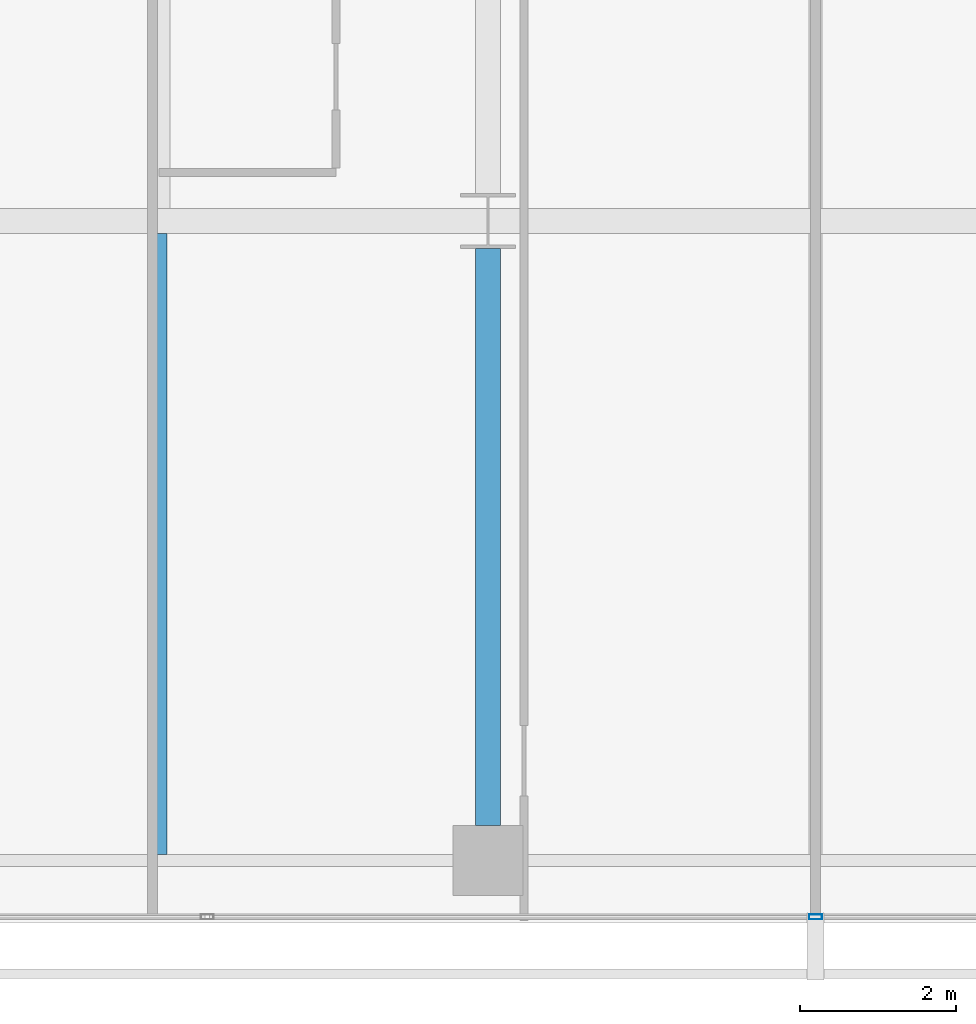
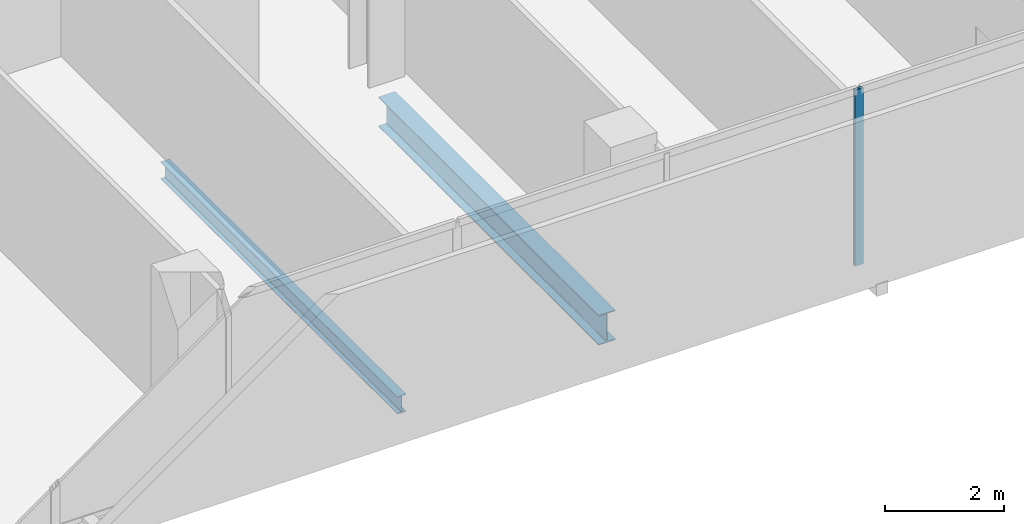
# One storey, part 8 of 40: 2 beams, 1 member, 1 element without a shape of its own.
"""IFC4 building model written with IfcOpenShell, lengths in metres."""

from ifc_helpers import new_model, si_unit, direction, frame, origin, origin_2d, place, context, subcontext, project, spatial, hollow_rectangle, i_section, extrude, material, layer, layer_set, material_profile, profile_set, type_object, element, aggregate, save


model = new_model("IFC4")

# Units and contexts
model_context = context("Model", 3, precision=1e-05, world=origin(), true_north=direction((0.0, 1.0)))
body_context = subcontext(model_context, "Body", "Model", "MODEL_VIEW")
ifc_project = project(units=[si_unit("LENGTHUNIT", "METRE"), si_unit("AREAUNIT", "SQUARE_METRE"), si_unit("VOLUMEUNIT", "CUBIC_METRE"), si_unit("PLANEANGLEUNIT", "RADIAN"), si_unit("MASSUNIT", "GRAM", prefix="KILO")], contexts=[model_context])

# Site, building, storey
site_placement = place(None, origin())
site = spatial("IfcSite", under=ifc_project, at=site_placement, CompositionType="ELEMENT")
building_placement = place(site_placement, origin())
building = spatial("IfcBuilding", under=site, at=building_placement, Name="Maruvema Waterfront Hotel and Observation Tower", CompositionType="ELEMENT")
storey_placement = place(building_placement, frame((0.0, 0.0, 92.39990234375)))
storey = spatial("IfcBuildingStorey", under=building, at=storey_placement, Name="L22", CompositionType="ELEMENT", Elevation=92.39990234375)

# Curtain wall, member
ifc_material_1 = material(Name="Anodised bronze aluminium and solar-control low-E IGU", Category="aluminium")
ifc_layer = layer(ifc_material_1, 0.159912109375, Name="Zone 1 Bronze Inner Thermal Curtain Wall System CW-02")
ifc_layer_set = layer_set([ifc_layer], Name="Anodised bronze aluminium and solar-control low-E IGU")
curtain_wall_type = type_object("IfcCurtainWallType", Name="Zone 1 Bronze Inner Thermal Curtain Wall System CW-02", PredefinedType="USERDEFINED", material=ifc_layer_set)
curtain_wall_placement = place(storey_placement, origin())
curtain_wall = element("IfcCurtainWall", 1, at=curtain_wall_placement, inside=storey, type_object=curtain_wall_type, Name="L22 Curtain Wall CW-L22-S", ObjectType="UNITISED CURTAIN WALL", PredefinedType="USERDEFINED")
ifc_material_2 = material(Name="Anodised architectural bronze aluminium", Category="aluminium")
ifc_material_profile_1 = material_profile(ifc_material_2, hollow_rectangle(XDim=0.06494140625, YDim=0.1650390625, WallThickness=0.00390625, at=origin_2d()), Name="ALU-M65x165")
ifc_profile_set_1 = profile_set([ifc_material_profile_1], Name="Anodised architectural bronze aluminium")
member_type = type_object("IfcMemberType", Name="Curtain Wall Primary Mullion ALU-M65x165", PredefinedType="MULLION", material=ifc_profile_set_1)
member_placement = place(storey_placement, frame((37.800048828125, 0.080078125, 0.0), z_axis=(0.0, 0.0, 1.0), x_axis=(0.0, 1.0, 0.0)))
member = element("IfcMember", 2, at=member_placement, type_object=member_type, Name="CW-02 mullion 4", PredefinedType="MULLION", context=body_context, shape_type="SweptSolid", body=[
    extrude(hollow_rectangle(XDim=0.06494140625, YDim=0.1650390625, WallThickness=0.00390625, at=origin_2d()), origin(), (0.0, 0.0, 1.0), 3.610107421875),
])
aggregate(curtain_wall, [member])

# Beams
ifc_material_3 = material(Name="Steel ASTM A572 Grade 50", Category="steel")
ifc_material_profile_2 = material_profile(ifc_material_3, i_section(OverallWidth=0.323974609375, OverallDepth=0.611083984375, WebThickness=0.0126953125, FlangeThickness=0.01904296875, FilletRadius=0.01806640625, at=origin_2d()), Name="W610x155.0")
ifc_profile_set_2 = profile_set([ifc_material_profile_2], Name="Steel ASTM A572 Grade 50")
beam_type_1 = type_object("IfcBeamType", Name="Primary Floor Girder W610x155.0", PredefinedType="BEAM", material=ifc_profile_set_2)
beam_1_placement = place(storey_placement, frame((33.60009765625, 1.25, -0.54541015625), z_axis=(0.0, 1.0, 0.0), x_axis=(-1.0, 0.0, 0.0)))
element("IfcBeam", 3, at=beam_1_placement, inside=storey, type_object=beam_type_1, Name="L22 Floor Girder NS-16", PredefinedType="BEAM", context=body_context, shape_type="SweptSolid", body=[
    extrude(i_section(OverallWidth=0.323974609375, OverallDepth=0.611083984375, WebThickness=0.0126953125, FlangeThickness=0.01904296875, FilletRadius=0.01806640625, at=origin_2d()), origin(), (0.0, 0.0, 1.0), 7.39990234375),
])
ifc_material_4 = material(Name="Steel ASTM A572 Grade 50", Category="steel")
ifc_material_profile_3 = material_profile(ifc_material_4, i_section(OverallWidth=0.1708984375, OverallDepth=0.35498046875, WebThickness=0.007080078125, FlangeThickness=0.01171875, FilletRadius=0.014892578125, at=origin_2d()), Name="W360x51.0")
ifc_profile_set_3 = profile_set([ifc_material_profile_3], Name="Steel ASTM A572 Grade 50")
beam_type_2 = type_object("IfcBeamType", Name="Secondary Floor Joist W360x51.0", PredefinedType="JOIST", material=ifc_profile_set_3)
beam_2_placement = place(storey_placement, frame((29.39990234375, 0.87646484375, -0.41748046875), z_axis=(0.0, 1.0, 0.0), x_axis=(-1.0, 0.0, 0.0)))
element("IfcBeam", 4, at=beam_2_placement, inside=storey, type_object=beam_type_2, Name="L22 Secondary Floor Joist JS-10", PredefinedType="JOIST", context=body_context, shape_type="SweptSolid", body=[
    extrude(i_section(OverallWidth=0.1708984375, OverallDepth=0.35498046875, WebThickness=0.007080078125, FlangeThickness=0.01171875, FilletRadius=0.014892578125, at=origin_2d()), origin(), (0.0, 0.0, 1.0), 7.96142578125),
])

save(model, "model.ifc")
